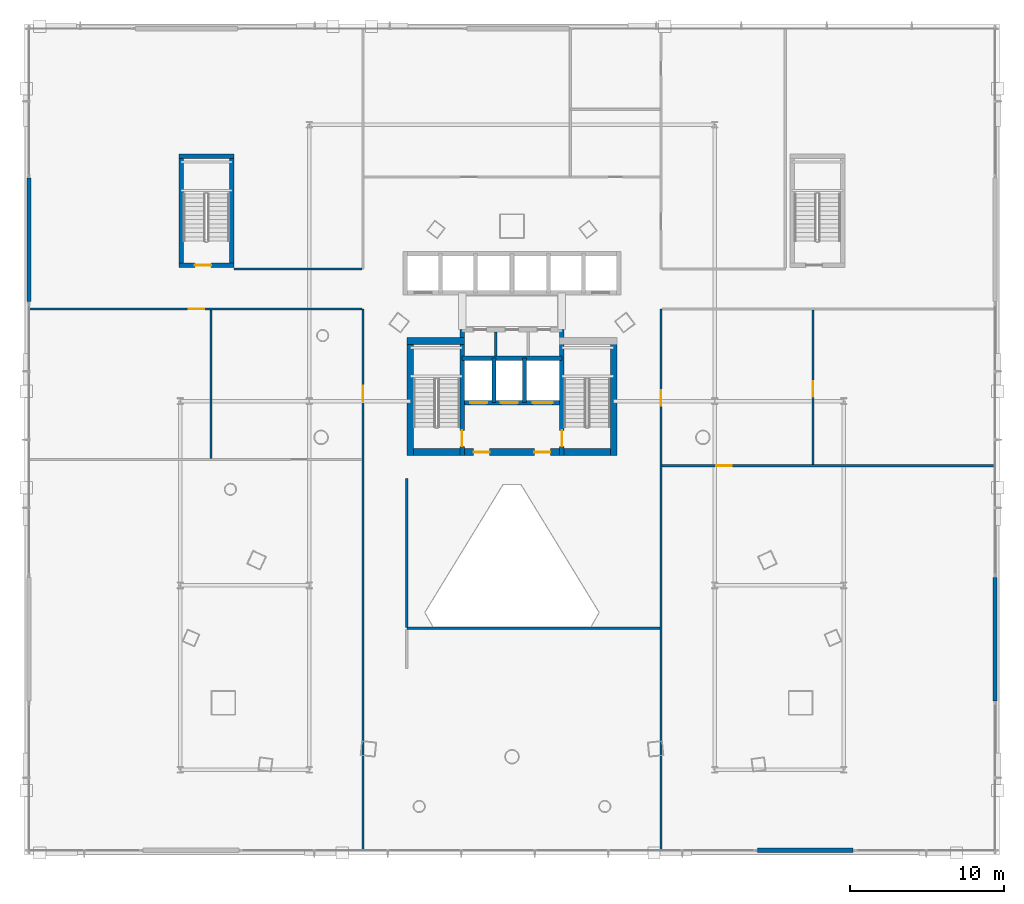
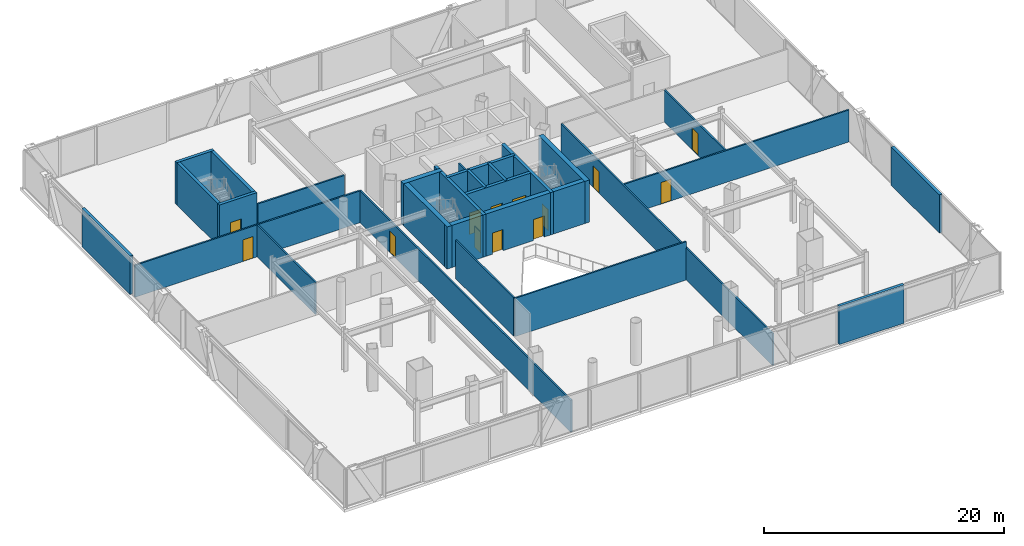
# One storey, part 37 of 46: 27 walls, 13 doors, 13 openings.
"""IFC4 building model written with IfcOpenShell, lengths in metres."""

from ifc_helpers import new_model, si_unit, direction, frame, frame_2d, origin, place, context, subcontext, project, spatial, rectangle, extrude, material, layer, layer_set, type_object, element, fill, save


model = new_model("IFC4")

# Units and contexts
model_context = context("Model", 3, precision=1e-05, world=origin(), true_north=direction((0.0, 1.0)))
body_context = subcontext(model_context, "Body", "Model", "MODEL_VIEW")
ifc_project = project(units=[si_unit("LENGTHUNIT", "METRE"), si_unit("AREAUNIT", "SQUARE_METRE"), si_unit("VOLUMEUNIT", "CUBIC_METRE"), si_unit("PLANEANGLEUNIT", "RADIAN"), si_unit("MASSUNIT", "GRAM", prefix="KILO")], contexts=[model_context])

# Site, building, storey
site_placement = place(None, origin())
site = spatial("IfcSite", under=ifc_project, at=site_placement, CompositionType="ELEMENT")
building_placement = place(site_placement, origin())
building = spatial("IfcBuilding", under=site, at=building_placement, Name="Orvanel Arch Residences", CompositionType="ELEMENT")
storey_placement = place(building_placement, frame((0.0, 0.0, 14.10009765625)))
storey = spatial("IfcBuildingStorey", under=building, at=storey_placement, Name="L03", CompositionType="ELEMENT", Elevation=14.10009765625)

# Walls
ifc_material_1 = material(Name="Precast concrete N50 (50 MPa)", Category="concrete")
ifc_layer_1 = layer(ifc_material_1, 0.280029296875)
ifc_layer_set_1 = layer_set([ifc_layer_1], Name="Precast concrete N50 (50 MPa)")
wall_type_1 = type_object("IfcWallType", Name="EW-POD-280", PredefinedType="SOLIDWALL", material=ifc_layer_set_1)
wall_1_placement = place(storey_placement, frame((55.219970703125, 0.75, 0.0), z_axis=(0.0, 0.0, 1.0), x_axis=(-1.0, 0.0, 0.0)))
element("IfcWall", 1, at=wall_1_placement, inside=storey, type_object=wall_type_1, Name="L03 Podium Solid Spandrel Panel Wall SEP", PredefinedType="SOLIDWALL", context=body_context, shape_type="SweptSolid", body=[
    extrude(rectangle(XDim=6.239990234375, YDim=0.280029296875, at=frame_2d((3.1201171875, 0.0))), origin(), (0.0, 0.0, 1.0), 3.89990234375),
])
for number, where, z_axis, x_axis, name in (
    (2, (64.449951171875, 10.47998046875, 0.0), (0.0, 0.0, 1.0), (0.0, 1.0, 0.0), "L03 Podium Solid E Panel Wall 1"),
    (3, (1.550048828125, 44.52001953125, 0.0), (0.0, 0.0, 1.0), (0.0, -1.0, 0.0), "L03 Podium Solid W Panel Wall 2"),
):
    element("IfcWall", number, at=place(storey_placement, frame(where, z_axis=z_axis, x_axis=x_axis)), inside=storey, type_object=wall_type_1, Name=name, PredefinedType="SOLIDWALL", context=body_context, shape_type="SweptSolid", body=[
        extrude(rectangle(XDim=8.0400390625, YDim=0.280029296875, at=frame_2d((4.02001953125, 0.0))), origin(), (0.0, 0.0, 1.0), 3.89990234375),
    ])
ifc_material_2 = material(Name="Concrete N50 (50 MPa)", Category="concrete")
ifc_layer_2 = layer(ifc_material_2, 0.25)
ifc_layer_set_2 = layer_set([ifc_layer_2], Name="Concrete N50 (50 MPa)")
wall_type_2 = type_object("IfcWallType", Name="SW-CORE-250", PredefinedType="SHEAR", material=ifc_layer_set_2)
for number, where, z_axis, x_axis, name in (
    (4, (31.824951171875, 29.89990234375, 0.0), (0.0, 0.0, 1.0), (0.0, 1.0, 0.0), "L03 Emergency Lift Inter-Shaft Wall F12"),
    (5, (33.824951171875, 29.89990234375, 0.0), (0.0, 0.0, 1.0), (0.0, 1.0, 0.0), "L03 Emergency Lift Inter-Shaft Wall F2G"),
):
    element("IfcWall", number, at=place(storey_placement, frame(where, z_axis=z_axis, x_axis=x_axis)), inside=storey, type_object=wall_type_2, Name=name, PredefinedType="SHEAR", context=body_context, shape_type="SweptSolid", body=[
        extrude(rectangle(XDim=2.900146484375, YDim=0.25, at=frame_2d((1.4501953125, 0.0))), origin(), (0.0, 0.0, 1.0), 4.2998046875),
    ])

# Wall, opening, door
ifc_material_3 = material(Name="Concrete S80 (80 MPa)", Category="concrete")
ifc_layer_3 = layer(ifc_material_3, 0.300048828125)
ifc_layer_set_3 = layer_set([ifc_layer_3], Name="Concrete S80 (80 MPa)")
wall_type_3 = type_object("IfcWallType", Name="SW-CORE-300", PredefinedType="SHEAR", material=ifc_layer_set_3)
wall_2_placement = place(storey_placement, frame((29.75, 26.449951171875, 0.0), z_axis=(0.0, 0.0, 1.0), x_axis=(0.0, 1.0, 0.0)))
wall_2 = element("IfcWall", 6, at=wall_2_placement, inside=storey, type_object=wall_type_3, Name="L03 West Inner Core Spine Shear Wall", PredefinedType="SHEAR", context=body_context, shape_type="SweptSolid", body=[
    extrude(rectangle(XDim=8.199951171875, YDim=0.300048828125, at=frame_2d((4.10009765625, 0.0))), origin(), (0.0, 0.0, 1.0), 4.2998046875),
])
opening_1_placement = place(wall_2_placement, frame((0.60009765625, 0.0, 0.0)))
opening_1 = element("IfcOpeningElement", 7, at=opening_1_placement, cuts=wall_2, Name="Opening DF-120", PredefinedType="OPENING", context=body_context, shape_type="SweptSolid", body=[
    extrude(rectangle(XDim=1.050048828125, YDim=2.14990234375, at=frame_2d((0.52490234375, 1.074951171875))), frame((0.0, 0.159912109375, 0.0), z_axis=(0.0, -1.0, 0.0), x_axis=(1.0, 0.0, 0.0)), (0.0, 0.0, 1.0), 0.320068359375),
])
ifc_material_4 = material(Name="Galvanised steel fire-resisting door assembly", Category="steel")
door_type_1 = type_object("IfcDoorType", Name="DR-FD120-1050", OperationType="NOTDEFINED", PredefinedType="DOOR", material=ifc_material_4)
door_1_placement = place(opening_1_placement, origin())
door_1 = element("IfcDoor", 8, at=door_1_placement, inside=storey, type_object=door_type_1, Name="DR-L03-ST1 L03 Stair 1 Fire Door", OperationType="SINGLE_SWING_LEFT", OverallHeight=2.14990234375, OverallWidth=1.050048828125, PredefinedType="DOOR", context=body_context, shape_type="SweptSolid", body=[
    extrude(rectangle(XDim=1.050048828125, YDim=2.14990234375, at=frame_2d((0.52490234375, 1.074951171875))), frame((0.0, 0.02490234375, 0.0), z_axis=(0.0, -1.0, 0.0), x_axis=(1.0, 0.0, 0.0)), (0.0, 0.0, 1.0), 0.050048828125),
])
fill(opening_1, door_1)

wall_3_placement = place(storey_placement, frame((36.25, 26.449951171875, 0.0), z_axis=(0.0, 0.0, 1.0), x_axis=(0.0, 1.0, 0.0)))
wall_3 = element("IfcWall", 9, at=wall_3_placement, inside=storey, type_object=wall_type_3, Name="L03 East Inner Core Spine Shear Wall", PredefinedType="SHEAR", context=body_context, shape_type="SweptSolid", body=[
    extrude(rectangle(XDim=8.199951171875, YDim=0.300048828125, at=frame_2d((4.10009765625, 0.0))), origin(), (0.0, 0.0, 1.0), 4.2998046875),
])
opening_2_placement = place(wall_3_placement, frame((0.60009765625, 0.0, 0.0)))
opening_2 = element("IfcOpeningElement", 10, at=opening_2_placement, cuts=wall_3, Name="Opening DF-120", PredefinedType="OPENING", context=body_context, shape_type="SweptSolid", body=[
    extrude(rectangle(XDim=1.050048828125, YDim=2.14990234375, at=frame_2d((0.52490234375, 1.074951171875))), frame((0.0, 0.159912109375, 0.0), z_axis=(0.0, -1.0, 0.0), x_axis=(1.0, 0.0, 0.0)), (0.0, 0.0, 1.0), 0.320068359375),
])
door_2_placement = place(opening_2_placement, origin())
door_2 = element("IfcDoor", 11, at=door_2_placement, inside=storey, type_object=door_type_1, Name="DR-L03-ST2 L03 Stair 2 Fire Door", OperationType="SINGLE_SWING_RIGHT", OverallHeight=2.14990234375, OverallWidth=1.050048828125, PredefinedType="DOOR", context=body_context, shape_type="SweptSolid", body=[
    extrude(rectangle(XDim=1.050048828125, YDim=2.14990234375, at=frame_2d((0.52490234375, 1.074951171875))), frame((0.0, 0.02490234375, 0.0), z_axis=(0.0, -1.0, 0.0), x_axis=(1.0, 0.0, 0.0)), (0.0, 0.0, 1.0), 0.050048828125),
])
fill(opening_2, door_2)

# Wall, openings, doors
wall_4_placement = place(storey_placement, frame((36.25, 29.89990234375, 0.0), z_axis=(0.0, 0.0, 1.0), x_axis=(-1.0, 0.0, 0.0)))
wall_4 = element("IfcWall", 12, at=wall_4_placement, inside=storey, type_object=wall_type_3, Name="L03 Emergency Lift Front Core Shear Wall", PredefinedType="SHEAR", context=body_context, shape_type="SweptSolid", body=[
    extrude(rectangle(XDim=6.5, YDim=0.300048828125, at=frame_2d((3.25, 0.0))), origin(), (0.0, 0.0, 1.0), 4.2998046875),
])
opening_3_placement = place(wall_4_placement, frame((4.875, 0.0, 0.0)))
opening_3 = element("IfcOpeningElement", 13, at=opening_3_placement, cuts=wall_4, Name="Opening LD-110", PredefinedType="OPENING", context=body_context, shape_type="SweptSolid", body=[
    extrude(rectangle(XDim=1.10009765625, YDim=2.199951171875, at=frame_2d((0.550048828125, 1.10009765625))), frame((0.0, 0.159912109375, 0.0), z_axis=(0.0, -1.0, 0.0), x_axis=(1.0, 0.0, 0.0)), (0.0, 0.0, 1.0), 0.320068359375),
])
opening_4_placement = place(wall_4_placement, frame((2.875, 0.0, 0.0)))
opening_4 = element("IfcOpeningElement", 14, at=opening_4_placement, cuts=wall_4, Name="Opening LD-110", PredefinedType="OPENING", context=body_context, shape_type="SweptSolid", body=[
    extrude(rectangle(XDim=1.10009765625, YDim=2.199951171875, at=frame_2d((0.550048828125, 1.10009765625))), frame((0.0, 0.159912109375, 0.0), z_axis=(0.0, -1.0, 0.0), x_axis=(1.0, 0.0, 0.0)), (0.0, 0.0, 1.0), 0.320068359375),
])
opening_5_placement = place(wall_4_placement, frame((0.60009765625, 0.0, 0.0)))
opening_5 = element("IfcOpeningElement", 15, at=opening_5_placement, cuts=wall_4, Name="Opening LD-130", PredefinedType="OPENING", context=body_context, shape_type="SweptSolid", body=[
    extrude(rectangle(XDim=1.300048828125, YDim=2.199951171875, at=frame_2d((0.64990234375, 1.10009765625))), frame((0.0, 0.159912109375, 0.0), z_axis=(0.0, -1.0, 0.0), x_axis=(1.0, 0.0, 0.0)), (0.0, 0.0, 1.0), 0.320068359375),
])
door_type_2 = type_object("IfcDoorType", Name="DR-LFT-1100", OperationType="NOTDEFINED", PredefinedType="DOOR", material=ifc_material_4)
door_3_placement = place(opening_3_placement, origin())
door_3 = element("IfcDoor", 16, at=door_3_placement, inside=storey, type_object=door_type_2, Name="LD-F1-L03 L03 Lift F1 Sliding Landing Door", OperationType="DOUBLE_DOOR_SLIDING", OverallHeight=2.199951171875, OverallWidth=1.10009765625, PredefinedType="DOOR", context=body_context, shape_type="SweptSolid", body=[
    extrude(rectangle(XDim=1.10009765625, YDim=2.199951171875, at=frame_2d((0.550048828125, 1.10009765625))), frame((0.0, 0.02490234375, 0.0), z_axis=(0.0, -1.0, 0.0), x_axis=(1.0, 0.0, 0.0)), (0.0, 0.0, 1.0), 0.050048828125),
])
fill(opening_3, door_3)
door_4_placement = place(opening_4_placement, origin())
door_4 = element("IfcDoor", 17, at=door_4_placement, inside=storey, type_object=door_type_2, Name="LD-F2-L03 L03 Lift F2 Sliding Landing Door", OperationType="DOUBLE_DOOR_SLIDING", OverallHeight=2.199951171875, OverallWidth=1.10009765625, PredefinedType="DOOR", context=body_context, shape_type="SweptSolid", body=[
    extrude(rectangle(XDim=1.10009765625, YDim=2.199951171875, at=frame_2d((0.550048828125, 1.10009765625))), frame((0.0, 0.02490234375, 0.0), z_axis=(0.0, -1.0, 0.0), x_axis=(1.0, 0.0, 0.0)), (0.0, 0.0, 1.0), 0.050048828125),
])
fill(opening_4, door_4)
door_type_3 = type_object("IfcDoorType", Name="DR-LFT-1300", OperationType="NOTDEFINED", PredefinedType="DOOR", material=ifc_material_4)
door_5_placement = place(opening_5_placement, origin())
door_5 = element("IfcDoor", 18, at=door_5_placement, inside=storey, type_object=door_type_3, Name="LD-G1-L03 L03 Lift G1 Sliding Landing Door", OperationType="DOUBLE_DOOR_SLIDING", OverallHeight=2.199951171875, OverallWidth=1.300048828125, PredefinedType="DOOR", context=body_context, shape_type="SweptSolid", body=[
    extrude(rectangle(XDim=1.300048828125, YDim=2.199951171875, at=frame_2d((0.64990234375, 1.10009765625))), frame((0.0, 0.02490234375, 0.0), z_axis=(0.0, -1.0, 0.0), x_axis=(1.0, 0.0, 0.0)), (0.0, 0.0, 1.0), 0.050048828125),
])
fill(opening_5, door_5)

# Walls
wall_5_placement = place(storey_placement, frame((29.75, 32.800048828125, 0.0), z_axis=(0.0, 0.0, 1.0), x_axis=(1.0, 0.0, 0.0)))
element("IfcWall", 19, at=wall_5_placement, inside=storey, type_object=wall_type_3, Name="L03 Emergency Lift Back Core Shear Wall", PredefinedType="SHEAR", context=body_context, shape_type="SweptSolid", body=[
    extrude(rectangle(XDim=6.5, YDim=0.300048828125, at=frame_2d((3.25, 0.0))), origin(), (0.0, 0.0, 1.0), 4.2998046875),
])
for number, where, z_axis, x_axis, name in (
    (20, (11.449951171875, 38.699951171875, 0.0), (0.0, 0.0, 1.0), (0.0, 1.0, 0.0), "L03 ST3 West Shear Wall"),
    (21, (14.75, 38.699951171875, 0.0), (0.0, 0.0, 1.0), (0.0, 1.0, 0.0), "L03 ST3 East Shear Wall"),
):
    element("IfcWall", number, at=place(storey_placement, frame(where, z_axis=z_axis, x_axis=x_axis)), inside=storey, type_object=wall_type_3, Name=name, PredefinedType="SHEAR", context=body_context, shape_type="SweptSolid", body=[
        extrude(rectangle(XDim=7.400146484375, YDim=0.300048828125, at=frame_2d((3.7001953125, 0.0))), origin(), (0.0, 0.0, 1.0), 4.2998046875),
    ])
wall_6_placement = place(storey_placement, frame((11.300048828125, 45.949951171875, 0.0), z_axis=(0.0, 0.0, 1.0), x_axis=(1.0, 0.0, 0.0)))
element("IfcWall", 22, at=wall_6_placement, inside=storey, type_object=wall_type_3, Name="L03 ST3 North Shear Wall", PredefinedType="SHEAR", context=body_context, shape_type="SweptSolid", body=[
    extrude(rectangle(XDim=3.599853515625, YDim=0.300048828125, at=frame_2d((1.7998046875, 0.0))), origin(), (0.0, 0.0, 1.0), 4.2998046875),
])

# Wall, opening, door
wall_7_placement = place(storey_placement, frame((11.300048828125, 38.85009765625, 0.0), z_axis=(0.0, 0.0, 1.0), x_axis=(1.0, 0.0, 0.0)))
wall_7 = element("IfcWall", 23, at=wall_7_placement, inside=storey, type_object=wall_type_3, Name="L03 ST3 South Shear Wall", PredefinedType="SHEAR", context=body_context, shape_type="SweptSolid", body=[
    extrude(rectangle(XDim=3.599853515625, YDim=0.300048828125, at=frame_2d((1.7998046875, 0.0))), origin(), (0.0, 0.0, 1.0), 4.2998046875),
])
opening_6_placement = place(wall_7_placement, frame((1.050048828125, 0.0, 0.0)))
opening_6 = element("IfcOpeningElement", 24, at=opening_6_placement, cuts=wall_7, Name="Opening DF-120", PredefinedType="OPENING", context=body_context, shape_type="SweptSolid", body=[
    extrude(rectangle(XDim=1.050048828125, YDim=2.14990234375, at=frame_2d((0.52490234375, 1.074951171875))), frame((0.0, 0.159912109375, 0.0), z_axis=(0.0, -1.0, 0.0), x_axis=(1.0, 0.0, 0.0)), (0.0, 0.0, 1.0), 0.320068359375),
])
door_6_placement = place(opening_6_placement, origin())
door_6 = element("IfcDoor", 25, at=door_6_placement, inside=storey, type_object=door_type_1, Name="DR-L03-ST3 L03 ST3 Exit Door", OperationType="SINGLE_SWING_LEFT", OverallHeight=2.14990234375, OverallWidth=1.050048828125, PredefinedType="DOOR", context=body_context, shape_type="SweptSolid", body=[
    extrude(rectangle(XDim=1.050048828125, YDim=2.14990234375, at=frame_2d((0.52490234375, 1.074951171875))), frame((0.0, 0.02490234375, 0.0), z_axis=(0.0, -1.0, 0.0), x_axis=(1.0, 0.0, 0.0)), (0.0, 0.0, 1.0), 0.050048828125),
])
fill(opening_6, door_6)

# Wall, openings, doors
ifc_layer_4 = layer(ifc_material_3, 0.449951171875)
ifc_layer_set_4 = layer_set([ifc_layer_4], Name="Concrete S80 (80 MPa)")
wall_type_4 = type_object("IfcWallType", Name="SW-CORE-450", PredefinedType="SHEAR", material=ifc_layer_set_4)
wall_8_placement = place(storey_placement, frame((26.14990234375, 26.675048828125, 0.0), z_axis=(0.0, 0.0, 1.0), x_axis=(1.0, 0.0, 0.0)))
wall_8 = element("IfcWall", 26, at=wall_8_placement, inside=storey, type_object=wall_type_4, Name="L03 South Core Shear Wall", PredefinedType="SHEAR", context=body_context, shape_type="SweptSolid", body=[
    extrude(rectangle(XDim=13.7001953125, YDim=0.449951171875, at=frame_2d((6.85009765625, 0.0))), origin(), (0.0, 0.0, 1.0), 4.2998046875),
])
opening_7_placement = place(wall_8_placement, frame((4.35009765625, 0.0, 0.0)))
opening_7 = element("IfcOpeningElement", 27, at=opening_7_placement, cuts=wall_8, Name="Opening DF-060", PredefinedType="OPENING", context=body_context, shape_type="SweptSolid", body=[
    extrude(rectangle(XDim=1.050048828125, YDim=2.14990234375, at=frame_2d((0.52490234375, 1.074951171875))), frame((0.0, 0.23486328125, 0.0), z_axis=(0.0, -1.0, 0.0), x_axis=(1.0, 0.0, 0.0)), (0.0, 0.0, 1.0), 0.469970703125),
])
opening_8_placement = place(wall_8_placement, frame((8.300048828125, 0.0, 0.0)))
opening_8 = element("IfcOpeningElement", 28, at=opening_8_placement, cuts=wall_8, Name="Opening DF-060", PredefinedType="OPENING", context=body_context, shape_type="SweptSolid", body=[
    extrude(rectangle(XDim=1.050048828125, YDim=2.14990234375, at=frame_2d((0.52490234375, 1.074951171875))), frame((0.0, 0.23486328125, 0.0), z_axis=(0.0, -1.0, 0.0), x_axis=(1.0, 0.0, 0.0)), (0.0, 0.0, 1.0), 0.469970703125),
])
door_type_4 = type_object("IfcDoorType", Name="DR-FD60-1050", OperationType="NOTDEFINED", PredefinedType="DOOR", material=ifc_material_4)
door_7_placement = place(opening_7_placement, origin())
door_7 = element("IfcDoor", 29, at=door_7_placement, inside=storey, type_object=door_type_4, Name="DR-L03-FFL-W L03 West Smoke Lobby Door", OperationType="SINGLE_SWING_LEFT", OverallHeight=2.14990234375, OverallWidth=1.050048828125, PredefinedType="DOOR", context=body_context, shape_type="SweptSolid", body=[
    extrude(rectangle(XDim=1.050048828125, YDim=2.14990234375, at=frame_2d((0.52490234375, 1.074951171875))), frame((0.0, 0.02490234375, 0.0), z_axis=(0.0, -1.0, 0.0), x_axis=(1.0, 0.0, 0.0)), (0.0, 0.0, 1.0), 0.050048828125),
])
fill(opening_7, door_7)
door_8_placement = place(opening_8_placement, origin())
door_8 = element("IfcDoor", 30, at=door_8_placement, inside=storey, type_object=door_type_4, Name="DR-L03-FFL-E L03 East Smoke Lobby Door", OperationType="SINGLE_SWING_RIGHT", OverallHeight=2.14990234375, OverallWidth=1.050048828125, PredefinedType="DOOR", context=body_context, shape_type="SweptSolid", body=[
    extrude(rectangle(XDim=1.050048828125, YDim=2.14990234375, at=frame_2d((0.52490234375, 1.074951171875))), frame((0.0, 0.02490234375, 0.0), z_axis=(0.0, -1.0, 0.0), x_axis=(1.0, 0.0, 0.0)), (0.0, 0.0, 1.0), 0.050048828125),
])
fill(opening_8, door_8)

# Walls
wall_9_placement = place(storey_placement, frame((26.375, 26.449951171875, 0.0), z_axis=(0.0, 0.0, 1.0), x_axis=(0.0, 1.0, 0.0)))
element("IfcWall", 31, at=wall_9_placement, inside=storey, type_object=wall_type_4, Name="L03 West Stair Shear Wall", PredefinedType="SHEAR", context=body_context, shape_type="SweptSolid", body=[
    extrude(rectangle(XDim=7.699951171875, YDim=0.449951171875, at=frame_2d((3.85009765625, 0.0))), origin(), (0.0, 0.0, 1.0), 4.2998046875),
])
wall_10_placement = place(storey_placement, frame((26.14990234375, 33.925048828125, 0.0), z_axis=(0.0, 0.0, 1.0), x_axis=(1.0, 0.0, 0.0)))
element("IfcWall", 32, at=wall_10_placement, inside=storey, type_object=wall_type_4, Name="L03 West Stair North Shear Wall", PredefinedType="SHEAR", context=body_context, shape_type="SweptSolid", body=[
    extrude(rectangle(XDim=3.75, YDim=0.449951171875, at=frame_2d((1.875, 0.0))), origin(), (0.0, 0.0, 1.0), 4.2998046875),
])
wall_11_placement = place(storey_placement, frame((39.625, 26.449951171875, 0.0), z_axis=(0.0, 0.0, 1.0), x_axis=(0.0, 1.0, 0.0)))
element("IfcWall", 33, at=wall_11_placement, inside=storey, type_object=wall_type_4, Name="L03 East Stair Shear Wall", PredefinedType="SHEAR", context=body_context, shape_type="SweptSolid", body=[
    extrude(rectangle(XDim=7.699951171875, YDim=0.449951171875, at=frame_2d((3.85009765625, 0.0))), origin(), (0.0, 0.0, 1.0), 4.2998046875),
])

# Wall, opening, door
ifc_material_5 = material(Name="Acoustic plasterboard lined twin-stud partition", Category="gypsum")
ifc_layer_5 = layer(ifc_material_5, 0.14990234375)
ifc_layer_set_5 = layer_set([ifc_layer_5], Name="Acoustic plasterboard lined twin-stud partition")
wall_type_5 = type_object("IfcWallType", Name="W-POD-150", PredefinedType="PARTITIONING", material=ifc_layer_set_5)
wall_12_placement = place(storey_placement, frame((23.300048828125, 0.764892578125, 0.0), z_axis=(0.0, 0.0, 1.0), x_axis=(0.0, 1.0, 0.0)))
wall_12 = element("IfcWall", 34, at=wall_12_placement, inside=storey, type_object=wall_type_5, Name="L03 West Wing Corridor Wall", PredefinedType="PARTITIONING", context=body_context, shape_type="SweptSolid", body=[
    extrude(rectangle(XDim=35.235107421875, YDim=0.14990234375, at=frame_2d((17.61767578125, 0.0))), origin(), (0.0, 0.0, 1.0), 3.2529296875),
])
opening_9_placement = place(wall_12_placement, frame((29.235107421875, 0.0, 0.0)))
opening_9 = element("IfcOpeningElement", 35, at=opening_9_placement, cuts=wall_12, Name="Opening DP-100", PredefinedType="OPENING", context=body_context, shape_type="SweptSolid", body=[
    extrude(rectangle(XDim=1.0, YDim=2.199951171875, at=frame_2d((0.5, 1.10009765625))), frame((0.0, 0.0849609375, 0.0), z_axis=(0.0, -1.0, 0.0), x_axis=(1.0, 0.0, 0.0)), (0.0, 0.0, 1.0), 0.169921875),
])
ifc_material_6 = material(Name="Solid-core European oak veneer fire door leaf", Category="wood")
door_type_5 = type_object("IfcDoorType", Name="DR-POD-1000", OperationType="NOTDEFINED", PredefinedType="DOOR", material=ifc_material_6)
door_9_placement = place(opening_9_placement, origin())
door_9 = element("IfcDoor", 36, at=door_9_placement, inside=storey, type_object=door_type_5, Name="DR-L03-SWA L03 Mental Health Consulting Suite Door", OperationType="SINGLE_SWING_LEFT", OverallHeight=2.199951171875, OverallWidth=1.0, PredefinedType="DOOR", context=body_context, shape_type="SweptSolid", body=[
    extrude(rectangle(XDim=1.0, YDim=2.199951171875, at=frame_2d((0.5, 1.10009765625))), frame((0.0, 0.02490234375, 0.0), z_axis=(0.0, -1.0, 0.0), x_axis=(1.0, 0.0, 0.0)), (0.0, 0.0, 1.0), 0.050048828125),
])
fill(opening_9, door_9)

wall_13_placement = place(storey_placement, frame((1.56494140625, 36.0, 0.0), z_axis=(0.0, 0.0, 1.0), x_axis=(1.0, 0.0, 0.0)))
wall_13 = element("IfcWall", 37, at=wall_13_placement, inside=storey, type_object=wall_type_5, Name="L03 West Wing North Wall", PredefinedType="PARTITIONING", context=body_context, shape_type="SweptSolid", body=[
    extrude(rectangle(XDim=21.675048828125, YDim=0.14990234375, at=frame_2d((10.83740234375, 0.0))), origin(), (0.0, 0.0, 1.0), 3.2529296875),
])
opening_10_placement = place(wall_13_placement, frame((10.385009765625, 0.0, 0.0)))
opening_10 = element("IfcOpeningElement", 38, at=opening_10_placement, cuts=wall_13, Name="Opening DP-100", PredefinedType="OPENING", context=body_context, shape_type="SweptSolid", body=[
    extrude(rectangle(XDim=1.0, YDim=2.199951171875, at=frame_2d((0.5, 1.10009765625))), frame((0.0, 0.0849609375, 0.0), z_axis=(0.0, -1.0, 0.0), x_axis=(1.0, 0.0, 0.0)), (0.0, 0.0, 1.0), 0.169921875),
])
door_10_placement = place(opening_10_placement, origin())
door_10 = element("IfcDoor", 39, at=door_10_placement, inside=storey, type_object=door_type_5, Name="DR-L03-SWA2 L03 West Clinical Records Store Door", OperationType="SINGLE_SWING_LEFT", OverallHeight=2.199951171875, OverallWidth=1.0, PredefinedType="DOOR", context=body_context, shape_type="SweptSolid", body=[
    extrude(rectangle(XDim=1.0, YDim=2.199951171875, at=frame_2d((0.5, 1.10009765625))), frame((0.0, 0.02490234375, 0.0), z_axis=(0.0, -1.0, 0.0), x_axis=(1.0, 0.0, 0.0)), (0.0, 0.0, 1.0), 0.050048828125),
])
fill(opening_10, door_10)

# Wall
wall_14_placement = place(storey_placement, frame((13.39990234375, 26.260009765625, 0.0), z_axis=(0.0, 0.0, 1.0), x_axis=(0.0, 1.0, 0.0)))
element("IfcWall", 40, at=wall_14_placement, inside=storey, type_object=wall_type_5, Name="L03 West Suite Inner Partition", PredefinedType="PARTITIONING", context=body_context, shape_type="SweptSolid", body=[
    extrude(rectangle(XDim=9.679931640625, YDim=0.14990234375, at=frame_2d((4.83984375, 0.0))), origin(), (0.0, 0.0, 1.0), 3.2529296875),
])

# Wall, opening, door
wall_15_placement = place(storey_placement, frame((42.699951171875, 0.764892578125, 0.0), z_axis=(0.0, 0.0, 1.0), x_axis=(0.0, 1.0, 0.0)))
wall_15 = element("IfcWall", 41, at=wall_15_placement, inside=storey, type_object=wall_type_5, Name="L03 East Wing Corridor Wall", PredefinedType="PARTITIONING", context=body_context, shape_type="SweptSolid", body=[
    extrude(rectangle(XDim=35.235107421875, YDim=0.14990234375, at=frame_2d((17.61767578125, 0.0))), origin(), (0.0, 0.0, 1.0), 3.2529296875),
])
opening_11_placement = place(wall_15_placement, frame((28.93505859375, 0.0, 0.0)))
opening_11 = element("IfcOpeningElement", 42, at=opening_11_placement, cuts=wall_15, Name="Opening DP-100", PredefinedType="OPENING", context=body_context, shape_type="SweptSolid", body=[
    extrude(rectangle(XDim=1.0, YDim=2.199951171875, at=frame_2d((0.5, 1.10009765625))), frame((0.0, 0.0849609375, 0.0), z_axis=(0.0, -1.0, 0.0), x_axis=(1.0, 0.0, 0.0)), (0.0, 0.0, 1.0), 0.169921875),
])
door_11_placement = place(opening_11_placement, origin())
door_11 = element("IfcDoor", 43, at=door_11_placement, inside=storey, type_object=door_type_5, Name="DR-L03-SEA L03 Allied Health Therapy Clinic Door", OperationType="SINGLE_SWING_RIGHT", OverallHeight=2.199951171875, OverallWidth=1.0, PredefinedType="DOOR", context=body_context, shape_type="SweptSolid", body=[
    extrude(rectangle(XDim=1.0, YDim=2.199951171875, at=frame_2d((0.5, 1.10009765625))), frame((0.0, 0.02490234375, 0.0), z_axis=(0.0, -1.0, 0.0), x_axis=(1.0, 0.0, 0.0)), (0.0, 0.0, 1.0), 0.050048828125),
])
fill(opening_11, door_11)

wall_16_placement = place(storey_placement, frame((42.760009765625, 25.800048828125, 0.0), z_axis=(0.0, 0.0, 1.0), x_axis=(1.0, 0.0, 0.0)))
wall_16 = element("IfcWall", 44, at=wall_16_placement, inside=storey, type_object=wall_type_5, Name="L03 East Wing Split Wall", PredefinedType="PARTITIONING", context=body_context, shape_type="SweptSolid", body=[
    extrude(rectangle(XDim=21.675048828125, YDim=0.14990234375, at=frame_2d((10.83740234375, 0.0))), origin(), (0.0, 0.0, 1.0), 3.2529296875),
])
opening_12_placement = place(wall_16_placement, frame((3.5400390625, 0.0, 0.0)))
opening_12 = element("IfcOpeningElement", 45, at=opening_12_placement, cuts=wall_16, Name="Opening DP-100", PredefinedType="OPENING", context=body_context, shape_type="SweptSolid", body=[
    extrude(rectangle(XDim=1.0, YDim=2.199951171875, at=frame_2d((0.5, 1.10009765625))), frame((0.0, 0.0849609375, 0.0), z_axis=(0.0, -1.0, 0.0), x_axis=(1.0, 0.0, 0.0)), (0.0, 0.0, 1.0), 0.169921875),
])
door_12_placement = place(opening_12_placement, origin())
door_12 = element("IfcDoor", 46, at=door_12_placement, inside=storey, type_object=door_type_5, Name="DR-L03-SEB L03 Clinical Equipment Store Door", OperationType="SINGLE_SWING_RIGHT", OverallHeight=2.199951171875, OverallWidth=1.0, PredefinedType="DOOR", context=body_context, shape_type="SweptSolid", body=[
    extrude(rectangle(XDim=1.0, YDim=2.199951171875, at=frame_2d((0.5, 1.10009765625))), frame((0.0, 0.02490234375, 0.0), z_axis=(0.0, -1.0, 0.0), x_axis=(1.0, 0.0, 0.0)), (0.0, 0.0, 1.0), 0.050048828125),
])
fill(opening_12, door_12)

wall_17_placement = place(storey_placement, frame((52.60009765625, 25.860107421875, 0.0), z_axis=(0.0, 0.0, 1.0), x_axis=(0.0, 1.0, 0.0)))
wall_17 = element("IfcWall", 47, at=wall_17_placement, inside=storey, type_object=wall_type_5, Name="L03 East Suite Inner Partition", PredefinedType="PARTITIONING", context=body_context, shape_type="SweptSolid", body=[
    extrude(rectangle(XDim=10.079833984375, YDim=0.14990234375, at=frame_2d((5.0400390625, 0.0))), origin(), (0.0, 0.0, 1.0), 3.2529296875),
])
opening_13_placement = place(wall_17_placement, frame((4.43994140625, 0.0, 0.0)))
opening_13 = element("IfcOpeningElement", 48, at=opening_13_placement, cuts=wall_17, Name="Opening DP-100", PredefinedType="OPENING", context=body_context, shape_type="SweptSolid", body=[
    extrude(rectangle(XDim=1.0, YDim=2.199951171875, at=frame_2d((0.5, 1.10009765625))), frame((0.0, 0.0849609375, 0.0), z_axis=(0.0, -1.0, 0.0), x_axis=(1.0, 0.0, 0.0)), (0.0, 0.0, 1.0), 0.169921875),
])
door_13_placement = place(opening_13_placement, origin())
door_13 = element("IfcDoor", 49, at=door_13_placement, inside=storey, type_object=door_type_5, Name="DR-L03-SEA2 L03 East Clinical Store Door", OperationType="SINGLE_SWING_RIGHT", OverallHeight=2.199951171875, OverallWidth=1.0, PredefinedType="DOOR", context=body_context, shape_type="SweptSolid", body=[
    extrude(rectangle(XDim=1.0, YDim=2.199951171875, at=frame_2d((0.5, 1.10009765625))), frame((0.0, 0.02490234375, 0.0), z_axis=(0.0, -1.0, 0.0), x_axis=(1.0, 0.0, 0.0)), (0.0, 0.0, 1.0), 0.050048828125),
])
fill(opening_13, door_13)

# Walls
wall_18_placement = place(storey_placement, frame((14.89990234375, 38.60009765625, 0.0), z_axis=(0.0, 0.0, 1.0), x_axis=(1.0, 0.0, 0.0)))
element("IfcWall", 50, at=wall_18_placement, inside=storey, type_object=wall_type_5, Name="L03 NW Corridor South Wall", PredefinedType="PARTITIONING", context=body_context, shape_type="SweptSolid", body=[
    extrude(rectangle(XDim=8.340087890625, YDim=0.14990234375, at=frame_2d((4.169921875, 0.0))), origin(), (0.0, 0.0, 1.0), 3.2529296875),
])
wall_19_placement = place(storey_placement, frame((26.14990234375, 15.199951171875, 0.0), z_axis=(0.0, 0.0, 1.0), x_axis=(1.0, 0.0, 0.0)))
element("IfcWall", 51, at=wall_19_placement, inside=storey, type_object=wall_type_5, Name="L03 South Bay N Wall", PredefinedType="PARTITIONING", context=body_context, shape_type="SweptSolid", body=[
    extrude(rectangle(XDim=16.489990234375, YDim=0.14990234375, at=frame_2d((8.2451171875, 0.0))), origin(), (0.0, 0.0, 1.0), 3.89990234375),
])
wall_20_placement = place(storey_placement, frame((26.14990234375, 15.260009765625, 0.0), z_axis=(0.0, 0.0, 1.0), x_axis=(0.0, 1.0, 0.0)))
element("IfcWall", 52, at=wall_20_placement, inside=storey, type_object=wall_type_5, Name="L03 SW Link E Wall", PredefinedType="PARTITIONING", context=body_context, shape_type="SweptSolid", body=[
    extrude(rectangle(XDim=9.68994140625, YDim=0.14990234375, at=frame_2d((4.844970703125, 0.0))), origin(), (0.0, 0.0, 1.0), 3.89990234375),
])
ifc_material_7 = material(Name="Fire-rated plasterboard lined steel stud partition", Category="steel")
ifc_layer_6 = layer(ifc_material_7, 0.14990234375)
ifc_layer_set_6 = layer_set([ifc_layer_6], Name="Fire-rated plasterboard lined steel stud partition")
wall_type_6 = type_object("IfcWallType", Name="W-ST-150", PredefinedType="PARTITIONING", material=ifc_layer_set_6)
wall_21_placement = place(storey_placement, frame((31.949951171875, 32.93505859375, 0.0), z_axis=(0.0, 0.0, 1.0), x_axis=(0.0, 1.0, 0.0)))
element("IfcWall", 53, at=wall_21_placement, inside=storey, type_object=wall_type_6, Name="L03 Core Service Partition 1", PredefinedType="PARTITIONING", context=body_context, shape_type="SweptSolid", body=[
    extrude(rectangle(XDim=1.579833984375, YDim=0.14990234375, at=frame_2d((0.7900390625, 0.0))), origin(), (0.0, 0.0, 1.0), 3.89990234375),
])

save(model, "model.ifc")
